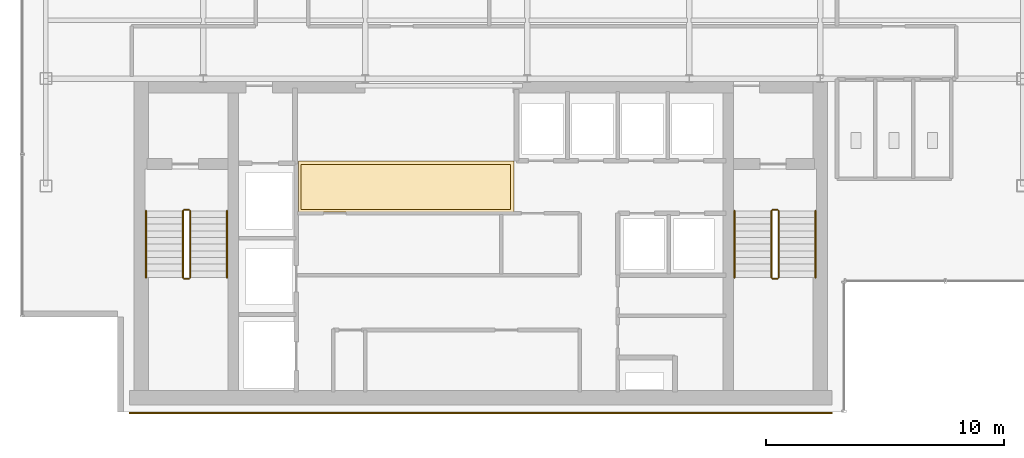
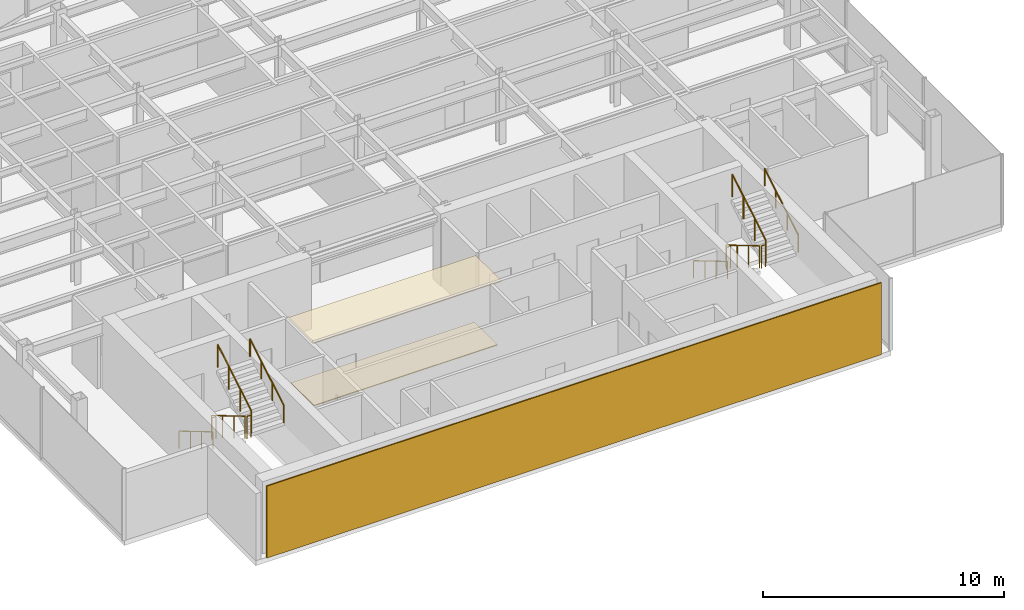
# One storey, part 20 of 22: 12 railings, 3 coverings.
"""IFC4 building model written with IfcOpenShell, lengths in metres."""

from ifc_helpers import new_model, si_unit, derived_unit, direction, frame, origin, origin_2d, place, context, subcontext, project, spatial, polyline, rectangle, circle, outline, extrude, source, transform, mapped, material, layer, layer_set, type_object, element, save


model = new_model("IFC4")

# Units and contexts
model_context = context("Model", 3, precision=1e-05, world=origin(), true_north=direction((0.0, 1.0)))
body_context = subcontext(model_context, "Body", "Model", "MODEL_VIEW")
ifc_project = project(units=[si_unit("LENGTHUNIT", "METRE"), si_unit("AREAUNIT", "SQUARE_METRE"), si_unit("VOLUMEUNIT", "CUBIC_METRE"), si_unit("PLANEANGLEUNIT", "RADIAN"), si_unit("MASSUNIT", "GRAM", prefix="KILO"), derived_unit("THERMALTRANSMITTANCEUNIT", [(si_unit("POWERUNIT", "WATT"), 1), (si_unit("LENGTHUNIT", "METRE"), -2), (si_unit("THERMODYNAMICTEMPERATUREUNIT", "KELVIN"), -1)])], contexts=[model_context])

# Site, building, storey
site_placement = place(None, origin())
site = spatial("IfcSite", under=ifc_project, at=site_placement, CompositionType="ELEMENT")
building_placement = place(site_placement, origin())
building = spatial("IfcBuilding", under=site, at=building_placement, Name="Skarnbrae Concourse Arena and Tower", CompositionType="ELEMENT")
storey_placement = place(building_placement, frame((0.0, 0.0, 210.5)))
storey = spatial("IfcBuildingStorey", under=building, at=storey_placement, Name="L54", CompositionType="ELEMENT", Elevation=210.5)

# Coverings
ifc_material_1 = material(Name="Mineral fibre acoustic ceiling tile", Category="other")
ifc_layer_1 = layer(ifc_material_1, 0.0400390625)
ifc_layer_set_1 = layer_set([ifc_layer_1], Name="Mineral fibre acoustic ceiling tile")
covering_type_1 = type_object("IfcCoveringType", Name="COV-CEIL-ACOUSTIC", PredefinedType="CEILING", material=ifc_layer_set_1)
covering_1_placement = place(storey_placement, frame((0.0, 0.0, 3.239990234375)))
element("IfcCovering", 1, at=covering_1_placement, inside=storey, type_object=covering_type_1, Name="L54 Lift lobby acoustic ceiling", PredefinedType="CEILING", context=body_context, shape_type="SweptSolid", body=[
    extrude(outline(polyline([(11.60009765625, 8.39990234375), (20.64990234375, 8.39990234375), (20.64990234375, 10.550048828125), (11.60009765625, 10.550048828125), (11.60009765625, 8.39990234375)])), origin(), (0.0, 0.0, 1.0), 0.0400390625),
])
ifc_material_2 = material(Name="Polished granite terrazzo flooring", Category="masonry")
ifc_layer_2 = layer(ifc_material_2, 0.0400390625)
ifc_layer_set_2 = layer_set([ifc_layer_2], Name="Polished granite terrazzo flooring")
covering_type_2 = type_object("IfcCoveringType", Name="COV-FLOOR-TERRAZZO", PredefinedType="FLOORING", material=ifc_layer_set_2)
covering_2_placement = place(storey_placement, origin())
element("IfcCovering", 2, at=covering_2_placement, inside=storey, type_object=covering_type_2, Name="L54 Lift lobby terrazzo flooring", PredefinedType="FLOORING", context=body_context, shape_type="SweptSolid", body=[
    extrude(outline(polyline([(11.699951171875, 8.5), (20.5, 8.5), (20.5, 10.39990234375), (11.699951171875, 10.39990234375), (11.699951171875, 8.5)])), origin(), (0.0, 0.0, 1.0), 0.0400390625),
])

# Railings
ifc_material_3 = material(Name="Steel CSA G40.21 350W", Category="steel")
railing_type_1 = type_object("IfcRailingType", Name="RAIL-HANDRAIL-900", PredefinedType="HANDRAIL", material=ifc_material_3)
railing_1_placement = place(storey_placement, frame((5.199951171875, 8.449951171875, 0.166015625)))
element("IfcRailing", 3, at=railing_1_placement, inside=storey, type_object=railing_type_1, Name="L54 ST-1 stair handrail 1", PredefinedType="HANDRAIL", context=body_context, shape_type="SweptSolid", body=[
    extrude(circle(Radius=0.02392578125, at=origin_2d()), frame((0.0, 0.0, 0.8759765625), z_axis=(0.0, -0.860339051648, 0.50972219513), x_axis=(1.0, 0.0, 0.0)), (0.0, 0.0, 1.0), 3.254638671875),
    extrude(circle(Radius=0.02099609375, at=origin_2d()), origin(), (0.0, 0.0, 1.0), 0.851806640625),
    extrude(circle(Radius=0.02099609375, at=origin_2d()), frame((0.0, -0.933349609375, 0.552978515625)), (0.0, 0.0, 1.0), 0.851806640625),
    extrude(circle(Radius=0.02099609375, at=origin_2d()), frame((0.0, -1.86669921875, 1.10595703125)), (0.0, 0.0, 1.0), 0.851806640625),
    extrude(circle(Radius=0.02099609375, at=origin_2d()), frame((0.0, -2.800048828125, 1.658935546875)), (0.0, 0.0, 1.0), 0.851806640625),
])
railing_2_placement = place(storey_placement, frame((8.60009765625, 5.64990234375, 1.990966796875)))
element("IfcRailing", 4, at=railing_2_placement, inside=storey, type_object=railing_type_1, Name="L54 ST-1 stair handrail 2", PredefinedType="HANDRAIL", context=body_context, shape_type="SweptSolid", body=[
    extrude(circle(Radius=0.02392578125, at=origin_2d()), frame((0.0, 0.0, 0.8759765625), z_axis=(0.0, 0.860339051648, 0.50972219513), x_axis=(-1.0, 0.0, 0.0)), (0.0, 0.0, 1.0), 3.254638671875),
    extrude(circle(Radius=0.02099609375, at=origin_2d()), origin(), (0.0, 0.0, 1.0), 0.851806640625),
    extrude(circle(Radius=0.02099609375, at=origin_2d()), frame((0.0, 0.933349609375, 0.552978515625)), (0.0, 0.0, 1.0), 0.851806640625),
    extrude(circle(Radius=0.02099609375, at=origin_2d()), frame((0.0, 1.86669921875, 1.10595703125)), (0.0, 0.0, 1.0), 0.851806640625),
    extrude(circle(Radius=0.02099609375, at=origin_2d()), frame((0.0, 2.800048828125, 1.658935546875)), (0.0, 0.0, 1.0), 0.851806640625),
])
railing_3_placement = place(storey_placement, frame((29.89990234375, 8.449951171875, 0.166015625)))
element("IfcRailing", 5, at=railing_3_placement, inside=storey, type_object=railing_type_1, Name="L54 ST-2 stair handrail 1", PredefinedType="HANDRAIL", context=body_context, shape_type="SweptSolid", body=[
    extrude(circle(Radius=0.02392578125, at=origin_2d()), frame((0.0, 0.0, 0.8759765625), z_axis=(0.0, -0.860339051648, 0.50972219513), x_axis=(1.0, 0.0, 0.0)), (0.0, 0.0, 1.0), 3.254638671875),
    extrude(circle(Radius=0.02099609375, at=origin_2d()), origin(), (0.0, 0.0, 1.0), 0.851806640625),
    extrude(circle(Radius=0.02099609375, at=origin_2d()), frame((0.0, -0.933349609375, 0.552978515625)), (0.0, 0.0, 1.0), 0.851806640625),
    extrude(circle(Radius=0.02099609375, at=origin_2d()), frame((0.0, -1.86669921875, 1.10595703125)), (0.0, 0.0, 1.0), 0.851806640625),
    extrude(circle(Radius=0.02099609375, at=origin_2d()), frame((0.0, -2.800048828125, 1.658935546875)), (0.0, 0.0, 1.0), 0.851806640625),
])
railing_4_placement = place(storey_placement, frame((33.300048828125, 5.64990234375, 1.990966796875)))
element("IfcRailing", 6, at=railing_4_placement, inside=storey, type_object=railing_type_1, Name="L54 ST-2 stair handrail 2", PredefinedType="HANDRAIL", context=body_context, shape_type="SweptSolid", body=[
    extrude(circle(Radius=0.02392578125, at=origin_2d()), frame((0.0, 0.0, 0.8759765625), z_axis=(0.0, 0.860339051648, 0.50972219513), x_axis=(-1.0, 0.0, 0.0)), (0.0, 0.0, 1.0), 3.254638671875),
    extrude(circle(Radius=0.02099609375, at=origin_2d()), origin(), (0.0, 0.0, 1.0), 0.851806640625),
    extrude(circle(Radius=0.02099609375, at=origin_2d()), frame((0.0, 0.933349609375, 0.552978515625)), (0.0, 0.0, 1.0), 0.851806640625),
    extrude(circle(Radius=0.02099609375, at=origin_2d()), frame((0.0, 1.86669921875, 1.10595703125)), (0.0, 0.0, 1.0), 0.851806640625),
    extrude(circle(Radius=0.02099609375, at=origin_2d()), frame((0.0, 2.800048828125, 1.658935546875)), (0.0, 0.0, 1.0), 0.851806640625),
])
railing_type_2 = type_object("IfcRailingType", Name="RAIL-STAIR-GUARD-1150", PredefinedType="GUARDRAIL", material=ifc_material_3)
railing_5_placement = place(storey_placement, frame((6.75, 8.449951171875, 0.166015625)))
element("IfcRailing", 7, at=railing_5_placement, inside=storey, type_object=railing_type_2, Name="L54 ST-1 stair guard 1", PredefinedType="GUARDRAIL", context=body_context, shape_type="SweptSolid", body=[
    extrude(circle(Radius=0.02392578125, at=origin_2d()), frame((0.0, 0.0, 1.1259765625), z_axis=(0.0, -0.860339051648, 0.50972219513), x_axis=(1.0, 0.0, 0.0)), (0.0, 0.0, 1.0), 3.254638671875),
    extrude(circle(Radius=0.02099609375, at=origin_2d()), origin(), (0.0, 0.0, 1.0), 1.101806640625),
    extrude(circle(Radius=0.02099609375, at=origin_2d()), frame((0.0, -0.933349609375, 0.552978515625)), (0.0, 0.0, 1.0), 1.101806640625),
    extrude(circle(Radius=0.02099609375, at=origin_2d()), frame((0.0, -1.86669921875, 1.10595703125)), (0.0, 0.0, 1.0), 1.101806640625),
    extrude(circle(Radius=0.02099609375, at=origin_2d()), frame((0.0, -2.800048828125, 1.658935546875)), (0.0, 0.0, 1.0), 1.101806640625),
])
railing_6_placement = place(storey_placement, frame((6.800048828125, 5.60009765625, 1.824951171875)))
element("IfcRailing", 8, at=railing_6_placement, inside=storey, type_object=railing_type_2, Name="L54 ST-1 stair guard 2", PredefinedType="GUARDRAIL", context=body_context, shape_type="SweptSolid", body=[
    extrude(circle(Radius=0.02392578125, at=origin_2d()), frame((0.0, 0.0, 1.1259765625), z_axis=(1.0, 0.0, 0.0), x_axis=(0.0, 1.0, 0.0)), (0.0, 0.0, 1.0), 0.199951171875),
    extrude(circle(Radius=0.02099609375, at=origin_2d()), origin(), (0.0, 0.0, 1.0), 1.101806640625),
    extrude(circle(Radius=0.02099609375, at=origin_2d()), frame((0.199951171875, 0.0, 0.0)), (0.0, 0.0, 1.0), 1.101806640625),
])
railing_7_placement = place(storey_placement, frame((7.050048828125, 5.64990234375, 1.990966796875)))
element("IfcRailing", 9, at=railing_7_placement, inside=storey, type_object=railing_type_2, Name="L54 ST-1 stair guard 3", PredefinedType="GUARDRAIL", context=body_context, shape_type="SweptSolid", body=[
    extrude(circle(Radius=0.02392578125, at=origin_2d()), frame((0.0, 0.0, 1.1259765625), z_axis=(0.0, 0.860339051648, 0.50972219513), x_axis=(-1.0, 0.0, 0.0)), (0.0, 0.0, 1.0), 3.254638671875),
    extrude(circle(Radius=0.02099609375, at=origin_2d()), origin(), (0.0, 0.0, 1.0), 1.101806640625),
    extrude(circle(Radius=0.02099609375, at=origin_2d()), frame((0.0, 0.933349609375, 0.552978515625)), (0.0, 0.0, 1.0), 1.101806640625),
    extrude(circle(Radius=0.02099609375, at=origin_2d()), frame((0.0, 1.86669921875, 1.10595703125)), (0.0, 0.0, 1.0), 1.101806640625),
    extrude(circle(Radius=0.02099609375, at=origin_2d()), frame((0.0, 2.800048828125, 1.658935546875)), (0.0, 0.0, 1.0), 1.101806640625),
])
railing_8_placement = place(storey_placement, frame((6.800048828125, 8.5, 0.0)))
element("IfcRailing", 10, at=railing_8_placement, inside=storey, type_object=railing_type_2, Name="L54 ST-1 stair guard 4", PredefinedType="GUARDRAIL", context=body_context, shape_type="SweptSolid", body=[
    extrude(circle(Radius=0.02392578125, at=origin_2d()), frame((0.0, 0.0, 1.1259765625), z_axis=(1.0, 0.0, 0.0), x_axis=(0.0, 1.0, 0.0)), (0.0, 0.0, 1.0), 0.199951171875),
    extrude(circle(Radius=0.02099609375, at=origin_2d()), origin(), (0.0, 0.0, 1.0), 1.101806640625),
    extrude(circle(Radius=0.02099609375, at=origin_2d()), frame((0.199951171875, 0.0, 0.0)), (0.0, 0.0, 1.0), 1.101806640625),
])
railing_9_placement = place(storey_placement, frame((31.449951171875, 8.449951171875, 0.166015625)))
element("IfcRailing", 11, at=railing_9_placement, inside=storey, type_object=railing_type_2, Name="L54 ST-2 stair guard 1", PredefinedType="GUARDRAIL", context=body_context, shape_type="SweptSolid", body=[
    extrude(circle(Radius=0.02392578125, at=origin_2d()), frame((0.0, 0.0, 1.1259765625), z_axis=(0.0, -0.860339051648, 0.50972219513), x_axis=(1.0, 0.0, 0.0)), (0.0, 0.0, 1.0), 3.254638671875),
    extrude(circle(Radius=0.02099609375, at=origin_2d()), origin(), (0.0, 0.0, 1.0), 1.101806640625),
    extrude(circle(Radius=0.02099609375, at=origin_2d()), frame((0.0, -0.933349609375, 0.552978515625)), (0.0, 0.0, 1.0), 1.101806640625),
    extrude(circle(Radius=0.02099609375, at=origin_2d()), frame((0.0, -1.86669921875, 1.10595703125)), (0.0, 0.0, 1.0), 1.101806640625),
    extrude(circle(Radius=0.02099609375, at=origin_2d()), frame((0.0, -2.800048828125, 1.658935546875)), (0.0, 0.0, 1.0), 1.101806640625),
])
railing_10_placement = place(storey_placement, frame((31.5, 5.60009765625, 1.824951171875)))
element("IfcRailing", 12, at=railing_10_placement, inside=storey, type_object=railing_type_2, Name="L54 ST-2 stair guard 2", PredefinedType="GUARDRAIL", context=body_context, shape_type="SweptSolid", body=[
    extrude(circle(Radius=0.02392578125, at=origin_2d()), frame((0.0, 0.0, 1.1259765625), z_axis=(1.0, 0.0, 0.0), x_axis=(0.0, 1.0, 0.0)), (0.0, 0.0, 1.0), 0.199951171875),
    extrude(circle(Radius=0.02099609375, at=origin_2d()), origin(), (0.0, 0.0, 1.0), 1.101806640625),
    extrude(circle(Radius=0.02099609375, at=origin_2d()), frame((0.199951171875, 0.0, 0.0)), (0.0, 0.0, 1.0), 1.101806640625),
])
railing_11_placement = place(storey_placement, frame((31.75, 5.64990234375, 1.990966796875)))
element("IfcRailing", 13, at=railing_11_placement, inside=storey, type_object=railing_type_2, Name="L54 ST-2 stair guard 3", PredefinedType="GUARDRAIL", context=body_context, shape_type="SweptSolid", body=[
    extrude(circle(Radius=0.02392578125, at=origin_2d()), frame((0.0, 0.0, 1.1259765625), z_axis=(0.0, 0.860339051648, 0.50972219513), x_axis=(-1.0, 0.0, 0.0)), (0.0, 0.0, 1.0), 3.254638671875),
    extrude(circle(Radius=0.02099609375, at=origin_2d()), origin(), (0.0, 0.0, 1.0), 1.101806640625),
    extrude(circle(Radius=0.02099609375, at=origin_2d()), frame((0.0, 0.933349609375, 0.552978515625)), (0.0, 0.0, 1.0), 1.101806640625),
    extrude(circle(Radius=0.02099609375, at=origin_2d()), frame((0.0, 1.86669921875, 1.10595703125)), (0.0, 0.0, 1.0), 1.101806640625),
    extrude(circle(Radius=0.02099609375, at=origin_2d()), frame((0.0, 2.800048828125, 1.658935546875)), (0.0, 0.0, 1.0), 1.101806640625),
])
railing_12_placement = place(storey_placement, frame((31.5, 8.5, 0.0)))
element("IfcRailing", 14, at=railing_12_placement, inside=storey, type_object=railing_type_2, Name="L54 ST-2 stair guard 4", PredefinedType="GUARDRAIL", context=body_context, shape_type="SweptSolid", body=[
    extrude(circle(Radius=0.02392578125, at=origin_2d()), frame((0.0, 0.0, 1.1259765625), z_axis=(1.0, 0.0, 0.0), x_axis=(0.0, 1.0, 0.0)), (0.0, 0.0, 1.0), 0.199951171875),
    extrude(circle(Radius=0.02099609375, at=origin_2d()), origin(), (0.0, 0.0, 1.0), 1.101806640625),
    extrude(circle(Radius=0.02099609375, at=origin_2d()), frame((0.199951171875, 0.0, 0.0)), (0.0, 0.0, 1.0), 1.101806640625),
])

# Covering
ifc_material_4 = material(Name="Bronze anodised aluminium 6063-T6", Category="aluminium")
ifc_layer_3 = layer(ifc_material_4, 0.06005859375)
ifc_layer_set_3 = layer_set([ifc_layer_3], Name="Bronze anodised aluminium 6063-T6")
covering_type_3 = type_object("IfcCoveringType", Name="COV-CLAD-BRONZE-60", PredefinedType="CLADDING", material=ifc_layer_set_3)
shared_shape = source(origin(), body_context, "Body", "SweptSolid", [
    extrude(rectangle(XDim=29.5, YDim=0.06005859375, at=origin_2d()), origin(), (0.0, 0.0, 1.0), 3.64990234375),
])
covering_3_placement = place(storey_placement, frame((19.25, -0.030029296875, 0.0), z_axis=(0.0, 0.0, 1.0), x_axis=(1.0, 0.0, 0.0)))
element("IfcCovering", 15, at=covering_3_placement, inside=storey, type_object=covering_type_3, Name="L54 Rear-core plumb spine bronze rainscreen panel", PredefinedType="CLADDING", context=body_context, shape_type="MappedRepresentation", body=[
    mapped(shared_shape, transform((0.0, 0.0, 0.0))),
])

save(model, "model.ifc")
